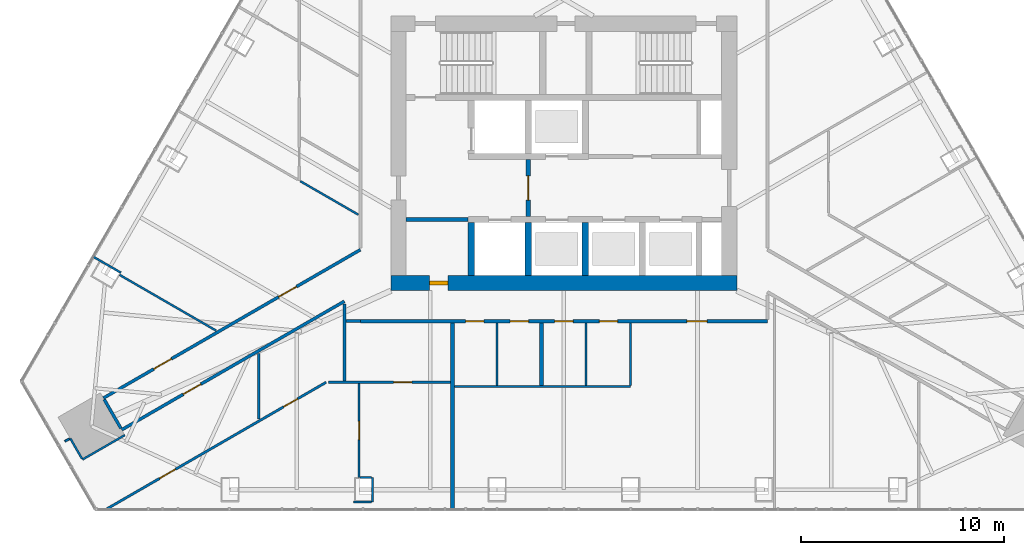
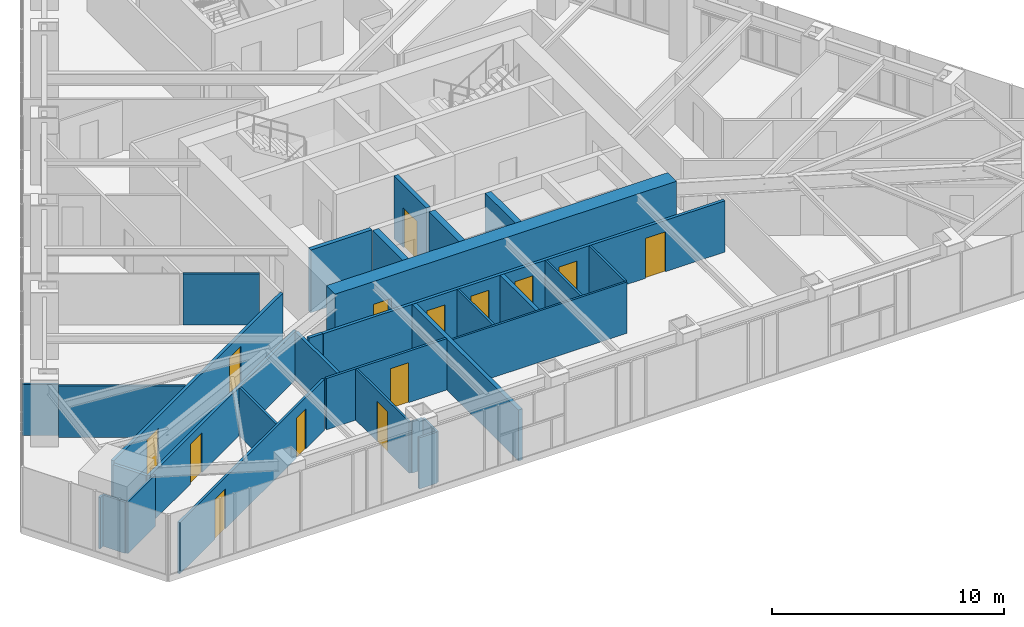
# One storey, part 15 of 20: 31 walls, 14 doors, 14 openings.
"""IFC4 building model written with IfcOpenShell, lengths in metres."""

import ifcopenshell
import ifcopenshell.guid

model = None  # the IFC model being written
_history = None  # IfcOwnerHistory: only IFC2X3 demands one
_inside = {}  # id of a spatial element -> (the spatial element, [elements in it])
_under = {}  # id of a project, library or spatial element -> (it, [spatial elements below it])
_declared = {}  # id of a project -> (the project, [libraries it declares])
_typed = {}  # id of a type object -> (the type object, [elements of that type])
_made_of = {}  # id of a material, layer set ... -> (it, [elements and type objects made of it])


def new_model(schema):
    """Start an empty IFC model of exactly this schema.

    Asked for "IFC4X3", IfcOpenShell would pick the latest addendum, in which some entities
    have other attributes; the version numbers below select the first issue.
    IFC2X3 requires an IfcOwnerHistory on every rooted entity: one is made here for all.
    """
    global model, _history
    if schema == "IFC4X3":
        model = ifcopenshell.file(schema_version=(4, 3, 0, 0))
    else:
        model = ifcopenshell.file(schema=schema)
    _inside.clear()
    _under.clear()
    _declared.clear()
    _typed.clear()
    _made_of.clear()
    _history = None
    if model.schema == "IFC2X3":
        org = make("IfcOrganization", Name="unknown")
        user = make(
            "IfcPersonAndOrganization",
            ThePerson=make("IfcPerson", FamilyName="unknown"),
            TheOrganization=org,
        )
        app = make(
            "IfcApplication",
            ApplicationDeveloper=org,
            Version="unknown",
            ApplicationFullName="unknown",
            ApplicationIdentifier="unknown",
        )
        _history = make(
            "IfcOwnerHistory",
            OwningUser=user,
            OwningApplication=app,
            ChangeAction="ADDED",
            CreationDate=0,
        )
    return model


def make(cls, **values):
    """One entity of the class cls with the attributes given. An attribute that is None is left unset."""
    return model.create_entity(
        cls, **{name: value for name, value in values.items() if value is not None}
    )


def rooted(cls, **values):
    """An entity with a GlobalId (a new one), such as an element, a storey or a relation."""
    return make(cls, GlobalId=ifcopenshell.guid.new(), OwnerHistory=_history, **values)


def si_unit(unit_type, name, prefix=None):
    """IfcSIUnit, for example si_unit("LENGTHUNIT", "METRE", prefix="MILLI")."""
    return make("IfcSIUnit", UnitType=unit_type, Prefix=prefix, Name=name)


def assignment(units):
    """IfcUnitAssignment: the units of a project."""
    return None if units is None else make("IfcUnitAssignment", Units=units)


def point(xyz):
    """IfcCartesianPoint."""
    return None if xyz is None else make("IfcCartesianPoint", Coordinates=xyz)


def direction(xyz):
    """IfcDirection."""
    return None if xyz is None else make("IfcDirection", DirectionRatios=xyz)


def frame(location, z_axis=None, x_axis=None):
    """IfcAxis2Placement3D, a coordinate frame: its origin and axes. An axis left out is left unset."""
    return make(
        "IfcAxis2Placement3D",
        Location=point(location),
        Axis=direction(z_axis),
        RefDirection=direction(x_axis),
    )


def frame_2d(location, x_axis=None):
    """IfcAxis2Placement2D, a coordinate frame in the plane: its origin and x axis."""
    return make(
        "IfcAxis2Placement2D", Location=point(location), RefDirection=direction(x_axis)
    )


def origin():
    """The frame at (0, 0, 0) with its axes left unset."""
    return frame((0.0, 0.0, 0.0))


def place(relative_to, where):
    """IfcLocalPlacement: puts the frame where relative to a parent placement (None: the world)."""
    return make(
        "IfcLocalPlacement", PlacementRelTo=relative_to, RelativePlacement=where
    )


def context(
    kind, dimensions, precision=None, world=None, true_north=None, identifier=None
):
    """IfcGeometricRepresentationContext, for example the 3D "Model" context."""
    return make(
        "IfcGeometricRepresentationContext",
        ContextIdentifier=identifier,
        ContextType=kind,
        CoordinateSpaceDimension=dimensions,
        Precision=precision,
        WorldCoordinateSystem=world,
        TrueNorth=true_north,
    )


def subcontext(parent, identifier, kind, view, scale=None):
    """IfcGeometricRepresentationSubContext, for example "Body" below "Model"."""
    return make(
        "IfcGeometricRepresentationSubContext",
        ContextIdentifier=identifier,
        ContextType=kind,
        ParentContext=parent,
        TargetScale=scale,
        TargetView=view,
    )


def project(units=None, contexts=None):
    """IfcProject with its units and contexts."""
    return rooted(
        "IfcProject",
        Name="project",
        RepresentationContexts=contexts,
        UnitsInContext=assignment(units),
    )


def spatial(cls, under=None, at=None, **own):
    """A site, building, storey or space (cls), placed at a placement, below another one or the project."""
    s = rooted(cls, ObjectPlacement=at, **own)
    if under is not None:
        _under.setdefault(under.id(), (under, []))[1].append(s)
    return s


def profile(cls, at=None, kind="AREA", **sizes):
    """A parametric profile (cls). Its sizes go by their IFC names, for example OverallWidth=200.0."""
    return make(cls, ProfileType=kind, Position=at, **sizes)


def rectangle(**sizes):
    """IfcRectangleProfileDef."""
    return profile("IfcRectangleProfileDef", **sizes)


def extrude(swept, where, along, depth):
    """IfcExtrudedAreaSolid: the profile swept, set in the frame where, extruded along a direction by depth."""
    return make(
        "IfcExtrudedAreaSolid",
        SweptArea=swept,
        Position=where,
        ExtrudedDirection=direction(along),
        Depth=depth,
    )


def shape(context_of_items, identifier, shape_type, items):
    """IfcShapeRepresentation: the items that make up one representation, for example the "Body"."""
    return make(
        "IfcShapeRepresentation",
        ContextOfItems=context_of_items,
        RepresentationIdentifier=identifier,
        RepresentationType=shape_type,
        Items=items,
    )


def material(Name=None, Category=None):
    """IfcMaterial."""
    return make("IfcMaterial", Name=Name, Category=Category)


def layer(
    of_material, thickness, ventilated=None, Name=None, Category=None, Priority=None
):
    """IfcMaterialLayer: one layer of a wall or slab, of a material (None: an air gap)."""
    return make(
        "IfcMaterialLayer",
        Material=of_material,
        LayerThickness=thickness,
        IsVentilated=ventilated,
        Name=Name,
        Category=Category,
        Priority=Priority,
    )


def layer_set(layers, Name=None):
    """IfcMaterialLayerSet."""
    return make("IfcMaterialLayerSet", MaterialLayers=layers, LayerSetName=Name)


def made_of(thing, what):
    """Note that an element or type object is made of a material, layer set ...; save() writes the relation."""
    if what is not None:
        _made_of.setdefault(what.id(), (what, []))[1].append(thing)
    return thing


def type_object(cls, material=None, **own):
    """A type object (cls), such as IfcWallType, which elements share."""
    return made_of(rooted(cls, **own), material)


def element(
    cls,
    number,
    at=None,
    inside=None,
    cuts=None,
    type_object=None,
    material=None,
    context=None,
    identifier="Body",
    shape_type=None,
    held_by="IfcProductDefinitionShape",
    body=None,
    shapes=None,
    **own,
):
    """One element of the class cls, such as IfcWall. Its Tag is "e" and its number.

    at: its placement. inside: the storey or other place that contains it. cuts: it is an
    opening in that element (IfcRelVoidsElement). A single representation is given by context,
    identifier, shape_type and body (its items); several are given by shapes. held_by: the class
    of the entity that holds the representations. save() writes the other relations.
    """
    e = rooted(cls, Tag="e%d" % number, ObjectPlacement=at, **own)
    if body is not None:
        shapes = [shape(context, identifier, shape_type, body)]
    if shapes is not None:
        e.Representation = make(held_by, Representations=shapes)
    if inside is not None:
        _inside.setdefault(inside.id(), (inside, []))[1].append(e)
    if cuts is not None:
        rooted(
            "IfcRelVoidsElement", RelatingBuildingElement=cuts, RelatedOpeningElement=e
        )
    if type_object is not None:
        _typed.setdefault(type_object.id(), (type_object, []))[1].append(e)
    return made_of(e, material)


def fill(opening, filler):
    """IfcRelFillsElement: the door or window that sits in an opening."""
    return rooted(
        "IfcRelFillsElement",
        RelatingOpeningElement=opening,
        RelatedBuildingElement=filler,
    )


def aggregate(whole, parts):
    """IfcRelAggregates: a whole, such as a stair, and the parts it consists of."""
    return rooted("IfcRelAggregates", RelatingObject=whole, RelatedObjects=parts)


def save(model, path):
    """Write the relations noted so far, then the file.

    IfcRelAggregates (storeys below a building ...), IfcRelContainedInSpatialStructure (elements
    in a storey), IfcRelDefinesByType, IfcRelAssociatesMaterial and IfcRelDeclares: one each for
    every whole, place, type object, material and project.
    """
    for whole, parts in _under.values():
        aggregate(whole, parts)
    for where, things in _inside.values():
        rooted(
            "IfcRelContainedInSpatialStructure",
            RelatedElements=things,
            RelatingStructure=where,
        )
    for kind, things in _typed.values():
        rooted("IfcRelDefinesByType", RelatedObjects=things, RelatingType=kind)
    for what, things in _made_of.values():
        rooted("IfcRelAssociatesMaterial", RelatedObjects=things, RelatingMaterial=what)
    for by, libraries in _declared.values():
        rooted("IfcRelDeclares", RelatingContext=by, RelatedDefinitions=libraries)
    model.write(path)


model = new_model("IFC4")

# Units and contexts
model_context = context("Model", 3, precision=1e-05, world=origin(), true_north=direction((0.0, 1.0)))
body_context = subcontext(model_context, "Body", "Model", "MODEL_VIEW")
ifc_project = project(units=[si_unit("LENGTHUNIT", "METRE"), si_unit("AREAUNIT", "SQUARE_METRE"), si_unit("VOLUMEUNIT", "CUBIC_METRE"), si_unit("PLANEANGLEUNIT", "RADIAN"), si_unit("MASSUNIT", "GRAM", prefix="KILO")], contexts=[model_context])

# Site, building, storey
site_placement = place(None, origin())
site = spatial("IfcSite", under=ifc_project, at=site_placement, CompositionType="ELEMENT")
building_placement = place(site_placement, origin())
building = spatial("IfcBuilding", under=site, at=building_placement, Name="Firuza Gate Tower and Library", CompositionType="ELEMENT")
storey_placement = place(building_placement, frame((0.0, 0.0, 277.60009765625)))
storey = spatial("IfcBuildingStorey", under=building, at=storey_placement, Name="L66", CompositionType="ELEMENT", Elevation=277.60009765625)

# Wall
ifc_material_1 = material(Name="Plasterboard on steel studs", Category="steel")
ifc_layer_1 = layer(ifc_material_1, 0.199951171875)
ifc_layer_set_1 = layer_set([ifc_layer_1], Name="Core partition 200 EI 60")
wall_type_1 = type_object("IfcWallType", Name="Core partition 200 EI 60", PredefinedType="PARTITIONING", material=ifc_layer_set_1)
wall_1_placement = place(storey_placement, frame((67.25, 71.75, 0.0), z_axis=(0.0, 0.0, 1.0), x_axis=(1.0, 0.0, 0.0)))
element("IfcWall", 1, at=wall_1_placement, inside=storey, type_object=wall_type_1, Name="Core partition L66 1", PredefinedType="PARTITIONING", context=body_context, shape_type="SweptSolid", body=[
    extrude(rectangle(XDim=3.050048828125, YDim=0.199951171875, at=frame_2d((1.52490234375, 0.0))), origin(), (0.0, 0.0, 1.0), 3.2998046875),
])

# Wall, opening, door
wall_2_placement = place(storey_placement, frame((73.25, 71.89990234375, 0.0), z_axis=(0.0, 0.0, 1.0), x_axis=(0.0, 1.0, 0.0)))
wall_2 = element("IfcWall", 2, at=wall_2_placement, inside=storey, type_object=wall_type_1, Name="Core partition L66 4", PredefinedType="PARTITIONING", context=body_context, shape_type="SweptSolid", body=[
    extrude(rectangle(XDim=2.800048828125, YDim=0.199951171875, at=frame_2d((1.39990234375, 0.0))), origin(), (0.0, 0.0, 1.0), 3.2998046875),
])
opening_1_placement = place(wall_2_placement, frame((0.800048828125, 0.0, 0.0)))
opening_1 = element("IfcOpeningElement", 3, at=opening_1_placement, cuts=wall_2, Name="Opening L66-K14", PredefinedType="OPENING", context=body_context, shape_type="SweptSolid", body=[
    extrude(rectangle(XDim=1.199951171875, YDim=2.10009765625, at=frame_2d((0.60009765625, 1.050048828125))), frame((0.0, 0.10986328125, 0.0), z_axis=(0.0, -1.0, 0.0), x_axis=(1.0, 0.0, 0.0)), (0.0, 0.0, 1.0), 0.219970703125),
])
ifc_material_2 = material(Name="Steel", Category="steel")
door_type_1 = type_object("IfcDoorType", Name="Fire door 1200x2100 FD90S", OperationType="NOTDEFINED", PredefinedType="DOOR", material=ifc_material_2)
door_1_placement = place(opening_1_placement, origin())
door_1 = element("IfcDoor", 4, at=door_1_placement, inside=storey, type_object=door_type_1, Name="Door L66-K14", OperationType="SINGLE_SWING_LEFT", OverallHeight=2.10009765625, OverallWidth=1.199951171875, PredefinedType="DOOR", context=body_context, shape_type="SweptSolid", body=[
    extrude(rectangle(XDim=1.199951171875, YDim=2.10009765625, at=frame_2d((0.60009765625, 1.050048828125))), frame((0.0, 0.02490234375, 0.0), z_axis=(0.0, -1.0, 0.0), x_axis=(1.0, 0.0, 0.0)), (0.0, 0.0, 1.0), 0.050048828125),
])
fill(opening_1, door_1)

# Walls
ifc_material_3 = material(Name="Concrete C60/75", Category="concrete")
ifc_layer_2 = layer(ifc_material_3, 0.300048828125)
ifc_layer_set_2 = layer_set([ifc_layer_2], Name="Core wall 300 C60/75")
wall_type_2 = type_object("IfcWallType", Name="Core wall 300 C60/75", PredefinedType="SHEAR", material=ifc_layer_set_2)
for number, where, z_axis, x_axis, name in (
    (5, (70.449951171875, 69.0, 0.0), (0.0, 0.0, 1.0), (0.0, 1.0, 0.0), "Core wall L66 7"),
    (6, (73.25, 69.0, 0.0), (0.0, 0.0, 1.0), (0.0, 1.0, 0.0), "Core wall L66 9"),
    (7, (76.050048828125, 69.0, 0.0), (0.0, 0.0, 1.0), (0.0, 1.0, 0.0), "Core wall L66 11"),
):
    element("IfcWall", number, at=place(storey_placement, frame(where, z_axis=z_axis, x_axis=x_axis)), inside=storey, type_object=wall_type_2, Name=name, PredefinedType="SHEAR", context=body_context, shape_type="SweptSolid", body=[
        extrude(rectangle(XDim=2.60009765625, YDim=0.300048828125, at=frame_2d((1.300048828125, 0.0))), origin(), (0.0, 0.0, 1.0), 3.2998046875),
    ])

# Wall, opening, door
ifc_material_4 = material(Name="Concrete C60/75", Category="concrete")
ifc_layer_3 = layer(ifc_material_4, 0.75)
ifc_layer_set_3 = layer_set([ifc_layer_3], Name="Core wall 750 C60/75")
wall_type_3 = type_object("IfcWallType", Name="Core wall 750 C60/75", PredefinedType="SHEAR", material=ifc_layer_set_3)
wall_3_placement = place(storey_placement, frame((66.5, 68.625, 0.0), z_axis=(0.0, 0.0, 1.0), x_axis=(1.0, 0.0, 0.0)))
wall_3 = element("IfcWall", 8, at=wall_3_placement, inside=storey, type_object=wall_type_3, Name="Core wall L66 1", PredefinedType="SHEAR", context=body_context, shape_type="SweptSolid", body=[
    extrude(rectangle(XDim=17.0, YDim=0.75, at=frame_2d((8.5, 0.0))), origin(), (0.0, 0.0, 1.0), 3.2998046875),
])
opening_2_placement = place(wall_3_placement, frame((1.89990234375, 0.0, 0.0)))
opening_2 = element("IfcOpeningElement", 9, at=opening_2_placement, cuts=wall_3, Name="Opening L66-K17", PredefinedType="OPENING", context=body_context, shape_type="SweptSolid", body=[
    extrude(rectangle(XDim=0.89990234375, YDim=2.10009765625, at=frame_2d((0.449951171875, 1.050048828125))), frame((0.0, 0.385009765625, 0.0), z_axis=(0.0, -1.0, 0.0), x_axis=(1.0, 0.0, 0.0)), (0.0, 0.0, 1.0), 0.77001953125),
])
ifc_material_5 = material(Name="Steel", Category="steel")
door_type_2 = type_object("IfcDoorType", Name="Fire door 900x2100 FD30S", OperationType="NOTDEFINED", PredefinedType="DOOR", material=ifc_material_5)
door_2_placement = place(opening_2_placement, origin())
door_2 = element("IfcDoor", 10, at=door_2_placement, inside=storey, type_object=door_type_2, Name="Door L66-K17", OperationType="SINGLE_SWING_RIGHT", OverallHeight=2.10009765625, OverallWidth=0.89990234375, PredefinedType="DOOR", context=body_context, shape_type="SweptSolid", body=[
    extrude(rectangle(XDim=0.89990234375, YDim=2.10009765625, at=frame_2d((0.449951171875, 1.050048828125))), frame((0.0, 0.094970703125, 0.0), z_axis=(0.0, -1.0, 0.0), x_axis=(1.0, 0.0, 0.0)), (0.0, 0.0, 1.0), 0.18994140625),
])
fill(opening_2, door_2)

# Wall, openings, doors
ifc_material_6 = material(Name="Gypsum board partition")
ifc_layer_4 = layer(ifc_material_6, 0.14990234375)
ifc_layer_set_4 = layer_set([ifc_layer_4], Name="Corridor wall 150 double board on steel studs")
wall_type_4 = type_object("IfcWallType", Name="Corridor wall 150 double board on steel studs", PredefinedType="PARTITIONING", material=ifc_layer_set_4)
wall_4_placement = place(storey_placement, frame((84.99951171875, 66.75, 0.0), z_axis=(0.0, 0.0, 1.0), x_axis=(-1.0, 0.0, 0.0)))
wall_4 = element("IfcWall", 11, at=wall_4_placement, inside=storey, type_object=wall_type_4, Name="f:L66:w004", PredefinedType="PARTITIONING", context=body_context, shape_type="SweptSolid", body=[
    extrude(rectangle(XDim=19.9990234375, YDim=0.14990234375, at=frame_2d((9.99951171875, 0.0))), origin(), (0.0, 0.0, 1.0), 2.699951171875),
])
opening_3_placement = place(wall_4_placement, frame((2.9599609375, 0.0, 0.0)))
opening_3 = element("IfcOpeningElement", 12, at=opening_3_placement, cuts=wall_4, Name="Opening L66-02", PredefinedType="OPENING", context=body_context, shape_type="SweptSolid", body=[
    extrude(rectangle(XDim=1.0, YDim=2.10009765625, at=frame_2d((0.5, 1.050048828125))), frame((0.0, 0.0849609375, 0.0), z_axis=(0.0, -1.0, 0.0), x_axis=(1.0, 0.0, 0.0)), (0.0, 0.0, 1.0), 0.169921875),
])
opening_4_placement = place(wall_4_placement, frame((7.361083984375, 0.0, 0.0)))
opening_4 = element("IfcOpeningElement", 13, at=opening_4_placement, cuts=wall_4, Name="Opening L66-03", PredefinedType="OPENING", context=body_context, shape_type="SweptSolid", body=[
    extrude(rectangle(XDim=0.89990234375, YDim=2.10009765625, at=frame_2d((0.449951171875, 1.050048828125))), frame((0.0, 0.0849609375, 0.0), z_axis=(0.0, -1.0, 0.0), x_axis=(1.0, 0.0, 0.0)), (0.0, 0.0, 1.0), 0.169921875),
])
opening_5_placement = place(wall_4_placement, frame((9.549560546875, 0.0, 0.0)))
opening_5 = element("IfcOpeningElement", 14, at=opening_5_placement, cuts=wall_4, Name="Opening L66-04", PredefinedType="OPENING", context=body_context, shape_type="SweptSolid", body=[
    extrude(rectangle(XDim=0.89990234375, YDim=2.10009765625, at=frame_2d((0.449951171875, 1.050048828125))), frame((0.0, 0.0849609375, 0.0), z_axis=(0.0, -1.0, 0.0), x_axis=(1.0, 0.0, 0.0)), (0.0, 0.0, 1.0), 0.169921875),
])
opening_6_placement = place(wall_4_placement, frame((11.738037109375, 0.0, 0.0)))
opening_6 = element("IfcOpeningElement", 15, at=opening_6_placement, cuts=wall_4, Name="Opening L66-05", PredefinedType="OPENING", context=body_context, shape_type="SweptSolid", body=[
    extrude(rectangle(XDim=0.89990234375, YDim=2.10009765625, at=frame_2d((0.449951171875, 1.050048828125))), frame((0.0, 0.0849609375, 0.0), z_axis=(0.0, -1.0, 0.0), x_axis=(1.0, 0.0, 0.0)), (0.0, 0.0, 1.0), 0.169921875),
])
opening_7_placement = place(wall_4_placement, frame((13.92626953125, 0.0, 0.0)))
opening_7 = element("IfcOpeningElement", 16, at=opening_7_placement, cuts=wall_4, Name="Opening L66-06", PredefinedType="OPENING", context=body_context, shape_type="SweptSolid", body=[
    extrude(rectangle(XDim=0.89990234375, YDim=2.10009765625, at=frame_2d((0.449951171875, 1.050048828125))), frame((0.0, 0.0849609375, 0.0), z_axis=(0.0, -1.0, 0.0), x_axis=(1.0, 0.0, 0.0)), (0.0, 0.0, 1.0), 0.169921875),
])
ifc_material_7 = material(Name="Steel door and timber leaf", Category="steel")
door_type_3 = type_object("IfcDoorType", Name="Fire door 1000 x 2100 steel frame, timber leaf", OperationType="NOTDEFINED", PredefinedType="DOOR", material=ifc_material_7)
door_3_placement = place(opening_3_placement, origin())
door_3 = element("IfcDoor", 17, at=door_3_placement, inside=storey, type_object=door_type_3, Name="f:L66:d002", OperationType="SINGLE_SWING_LEFT", OverallHeight=2.10009765625, OverallWidth=1.0, PredefinedType="DOOR", context=body_context, shape_type="SweptSolid", body=[
    extrude(rectangle(XDim=1.0, YDim=2.10009765625, at=frame_2d((0.5, 1.050048828125))), frame((0.0, 0.02490234375, 0.0), z_axis=(0.0, -1.0, 0.0), x_axis=(1.0, 0.0, 0.0)), (0.0, 0.0, 1.0), 0.050048828125),
])
fill(opening_3, door_3)
ifc_material_8 = material(Name="Steel door and timber leaf", Category="steel")
door_type_4 = type_object("IfcDoorType", Name="Fire door 900 x 2100 steel frame, timber leaf", OperationType="NOTDEFINED", PredefinedType="DOOR", material=ifc_material_8)
door_4_placement = place(opening_4_placement, origin())
door_4 = element("IfcDoor", 18, at=door_4_placement, inside=storey, type_object=door_type_4, Name="f:L66:d003", OperationType="SINGLE_SWING_RIGHT", OverallHeight=2.10009765625, OverallWidth=0.89990234375, PredefinedType="DOOR", context=body_context, shape_type="SweptSolid", body=[
    extrude(rectangle(XDim=0.89990234375, YDim=2.10009765625, at=frame_2d((0.449951171875, 1.050048828125))), frame((0.0, 0.02490234375, 0.0), z_axis=(0.0, -1.0, 0.0), x_axis=(1.0, 0.0, 0.0)), (0.0, 0.0, 1.0), 0.050048828125),
])
fill(opening_4, door_4)
door_5_placement = place(opening_5_placement, origin())
door_5 = element("IfcDoor", 19, at=door_5_placement, inside=storey, type_object=door_type_4, Name="f:L66:d004", OperationType="SINGLE_SWING_LEFT", OverallHeight=2.10009765625, OverallWidth=0.89990234375, PredefinedType="DOOR", context=body_context, shape_type="SweptSolid", body=[
    extrude(rectangle(XDim=0.89990234375, YDim=2.10009765625, at=frame_2d((0.449951171875, 1.050048828125))), frame((0.0, 0.02490234375, 0.0), z_axis=(0.0, -1.0, 0.0), x_axis=(1.0, 0.0, 0.0)), (0.0, 0.0, 1.0), 0.050048828125),
])
fill(opening_5, door_5)
door_6_placement = place(opening_6_placement, origin())
door_6 = element("IfcDoor", 20, at=door_6_placement, inside=storey, type_object=door_type_4, Name="f:L66:d005", OperationType="SINGLE_SWING_RIGHT", OverallHeight=2.10009765625, OverallWidth=0.89990234375, PredefinedType="DOOR", context=body_context, shape_type="SweptSolid", body=[
    extrude(rectangle(XDim=0.89990234375, YDim=2.10009765625, at=frame_2d((0.449951171875, 1.050048828125))), frame((0.0, 0.02490234375, 0.0), z_axis=(0.0, -1.0, 0.0), x_axis=(1.0, 0.0, 0.0)), (0.0, 0.0, 1.0), 0.050048828125),
])
fill(opening_6, door_6)
door_7_placement = place(opening_7_placement, origin())
door_7 = element("IfcDoor", 21, at=door_7_placement, inside=storey, type_object=door_type_4, Name="f:L66:d006", OperationType="SINGLE_SWING_LEFT", OverallHeight=2.10009765625, OverallWidth=0.89990234375, PredefinedType="DOOR", context=body_context, shape_type="SweptSolid", body=[
    extrude(rectangle(XDim=0.89990234375, YDim=2.10009765625, at=frame_2d((0.449951171875, 1.050048828125))), frame((0.0, 0.02490234375, 0.0), z_axis=(0.0, -1.0, 0.0), x_axis=(1.0, 0.0, 0.0)), (0.0, 0.0, 1.0), 0.050048828125),
])
fill(opening_7, door_7)

# Wall
wall_5_placement = place(storey_placement, frame((64.294921875, 66.76904296875, 0.0), z_axis=(0.0, 0.0, 1.0), x_axis=(1.0, 0.0, 0.0)))
element("IfcWall", 22, at=wall_5_placement, inside=storey, type_object=wall_type_4, Name="f:L66:w005", PredefinedType="PARTITIONING", context=body_context, shape_type="SweptSolid", body=[
    extrude(rectangle(XDim=0.705078125, YDim=0.14990234375, at=frame_2d((0.3525390625, 0.0))), origin(), (0.0, 0.0, 1.0), 2.699951171875),
])

# Wall, opening, door
wall_6_placement = place(storey_placement, frame((64.209716796875, 67.731201171875, 0.0), z_axis=(0.0, 0.0, 1.0), x_axis=(-0.866027247007, -0.499996807431, 0.0)))
wall_6 = element("IfcWall", 23, at=wall_6_placement, inside=storey, type_object=wall_type_4, Name="f:L66:w021", PredefinedType="PARTITIONING", context=body_context, shape_type="SweptSolid", body=[
    extrude(rectangle(XDim=12.6328125, YDim=0.14990234375, at=frame_2d((6.31640625, 0.0))), origin(), (0.0, 0.0, 1.0), 2.546875),
])
opening_8_placement = place(wall_6_placement, frame((8.142578125, 0.0, 0.0)))
opening_8 = element("IfcOpeningElement", 24, at=opening_8_placement, cuts=wall_6, Name="Opening L66-15", PredefinedType="OPENING", context=body_context, shape_type="SweptSolid", body=[
    extrude(rectangle(XDim=1.0, YDim=2.10009765625, at=frame_2d((0.5, 1.050048828125))), frame((0.0, 0.0849609375, 0.0), z_axis=(0.0, -1.0, 0.0), x_axis=(1.0, 0.0, 0.0)), (0.0, 0.0, 1.0), 0.169921875),
])
door_8_placement = place(opening_8_placement, origin())
door_8 = element("IfcDoor", 25, at=door_8_placement, inside=storey, type_object=door_type_3, Name="f:L66:d015", OperationType="SINGLE_SWING_LEFT", OverallHeight=2.10009765625, OverallWidth=1.0, PredefinedType="DOOR", context=body_context, shape_type="SweptSolid", body=[
    extrude(rectangle(XDim=1.0, YDim=2.10009765625, at=frame_2d((0.5, 1.050048828125))), frame((0.0, 0.02490234375, 0.0), z_axis=(0.0, -1.0, 0.0), x_axis=(1.0, 0.0, 0.0)), (0.0, 0.0, 1.0), 0.050048828125),
])
fill(opening_8, door_8)

# Wall, openings, doors
wall_7_placement = place(storey_placement, frame((52.369873046875, 62.973876953125, 0.0), z_axis=(0.0, 0.0, 1.0), x_axis=(0.866025849409, 0.499999228155, 0.0)))
wall_7 = element("IfcWall", 26, at=wall_7_placement, inside=storey, type_object=wall_type_4, Name="f:L66:w023", PredefinedType="PARTITIONING", context=body_context, shape_type="SweptSolid", body=[
    extrude(rectangle(XDim=14.583984375, YDim=0.14990234375, at=frame_2d((7.2919921875, 0.0))), origin(), (0.0, 0.0, 1.0), 2.699951171875),
])
opening_9_placement = place(wall_7_placement, frame((2.8583984375, 0.0, 0.0)))
opening_9 = element("IfcOpeningElement", 27, at=opening_9_placement, cuts=wall_7, Name="Opening L66-16", PredefinedType="OPENING", context=body_context, shape_type="SweptSolid", body=[
    extrude(rectangle(XDim=1.0, YDim=2.10009765625, at=frame_2d((0.5, 1.050048828125))), frame((0.0, 0.0849609375, 0.0), z_axis=(0.0, -1.0, 0.0), x_axis=(1.0, 0.0, 0.0)), (0.0, 0.0, 1.0), 0.169921875),
])
opening_10_placement = place(wall_7_placement, frame((9.947021484375, 0.0, 0.0)))
opening_10 = element("IfcOpeningElement", 28, at=opening_10_placement, cuts=wall_7, Name="Opening L66-17", PredefinedType="OPENING", context=body_context, shape_type="SweptSolid", body=[
    extrude(rectangle(XDim=1.0, YDim=2.10009765625, at=frame_2d((0.5, 1.050048828125))), frame((0.0, 0.0849609375, 0.0), z_axis=(0.0, -1.0, 0.0), x_axis=(1.0, 0.0, 0.0)), (0.0, 0.0, 1.0), 0.169921875),
])
door_9_placement = place(opening_9_placement, origin())
door_9 = element("IfcDoor", 29, at=door_9_placement, inside=storey, type_object=door_type_3, Name="f:L66:d016", OperationType="SINGLE_SWING_LEFT", OverallHeight=2.10009765625, OverallWidth=1.0, PredefinedType="DOOR", context=body_context, shape_type="SweptSolid", body=[
    extrude(rectangle(XDim=1.0, YDim=2.10009765625, at=frame_2d((0.5, 1.050048828125))), frame((0.0, 0.02490234375, 0.0), z_axis=(0.0, -1.0, 0.0), x_axis=(1.0, 0.0, 0.0)), (0.0, 0.0, 1.0), 0.050048828125),
])
fill(opening_9, door_9)
door_10_placement = place(opening_10_placement, origin())
door_10 = element("IfcDoor", 30, at=door_10_placement, inside=storey, type_object=door_type_3, Name="f:L66:d017", OperationType="SINGLE_SWING_RIGHT", OverallHeight=2.10009765625, OverallWidth=1.0, PredefinedType="DOOR", context=body_context, shape_type="SweptSolid", body=[
    extrude(rectangle(XDim=1.0, YDim=2.10009765625, at=frame_2d((0.5, 1.050048828125))), frame((0.0, 0.02490234375, 0.0), z_axis=(0.0, -1.0, 0.0), x_axis=(1.0, 0.0, 0.0)), (0.0, 0.0, 1.0), 0.050048828125),
])
fill(opening_10, door_10)

# Walls
wall_8_placement = place(storey_placement, frame((64.2099609375, 63.81005859375, 0.0), z_axis=(0.0, 0.0, 1.0), x_axis=(0.0, 1.0, 0.0)))
element("IfcWall", 31, at=wall_8_placement, inside=storey, type_object=wall_type_4, Name="f:L66:w049", PredefinedType="PARTITIONING", context=body_context, shape_type="SweptSolid", body=[
    extrude(rectangle(XDim=3.784423828125, YDim=0.14990234375, at=frame_2d((1.89208984375, 0.0))), origin(), (0.0, 0.0, 1.0), 2.546875),
])
wall_9_placement = place(storey_placement, frame((53.229248046875, 61.484375, 0.0), z_axis=(0.0, 0.0, 1.0), x_axis=(-0.500052415518, 0.865995139556, 0.0)))
element("IfcWall", 32, at=wall_9_placement, inside=storey, type_object=wall_type_4, Name="f:L66:w052", PredefinedType="PARTITIONING", context=body_context, shape_type="SweptSolid", body=[
    extrude(rectangle(XDim=1.643798828125, YDim=0.14990234375, at=frame_2d((0.82177734375, 0.0))), origin(), (0.0, 0.0, 1.0), 2.546875),
])
ifc_material_9 = material(Name="Gypsum board partition")
ifc_layer_5 = layer(ifc_material_9, 0.199951171875)
ifc_layer_set_5 = layer_set([ifc_layer_5], Name="Demising wall 200 acoustic double stud")
wall_type_5 = type_object("IfcWallType", Name="Demising wall 200 acoustic double stud", PredefinedType="PARTITIONING", material=ifc_layer_set_5)
wall_10_placement = place(storey_placement, frame((73.906005859375, 63.60009765625, 0.0), z_axis=(0.0, 0.0, 1.0), x_axis=(0.0, 1.0, 0.0)))
element("IfcWall", 33, at=wall_10_placement, inside=storey, type_object=wall_type_5, Name="f:L66:w041", PredefinedType="PARTITIONING", context=body_context, shape_type="SweptSolid", body=[
    extrude(rectangle(XDim=3.074951171875, YDim=0.199951171875, at=frame_2d((1.53759765625, 0.0))), origin(), (0.0, 0.0, 1.0), 2.699951171875),
])
wall_11_placement = place(storey_placement, frame((69.529052734375, 57.516357421875, 0.0), z_axis=(0.0, 0.0, 1.0), x_axis=(0.0, 1.0, 0.0)))
element("IfcWall", 34, at=wall_11_placement, inside=storey, type_object=wall_type_5, Name="f:L66:w045", PredefinedType="PARTITIONING", context=body_context, shape_type="SweptSolid", body=[
    extrude(rectangle(XDim=9.15869140625, YDim=0.199951171875, at=frame_2d((4.579345703125, 0.0))), origin(), (0.0, 0.0, 1.0), 2.68798828125),
])
ifc_material_10 = material(Name="Gypsum board partition")
ifc_layer_6 = layer(ifc_material_10, 0.10009765625)
ifc_layer_set_6 = layer_set([ifc_layer_6], Name="Partition 100 gypsum board on steel studs")
wall_type_6 = type_object("IfcWallType", Name="Partition 100 gypsum board on steel studs", PredefinedType="PARTITIONING", material=ifc_layer_set_6)
wall_12_placement = place(storey_placement, frame((64.670166015625, 57.8759765625, 0.0), z_axis=(0.0, 0.0, 1.0), x_axis=(1.0, 0.0, 0.0)))
element("IfcWall", 35, at=wall_12_placement, inside=storey, type_object=wall_type_6, Name="f:L66:w000", PredefinedType="PARTITIONING", context=body_context, shape_type="SweptSolid", body=[
    extrude(rectangle(XDim=0.874755859375, YDim=0.10009765625, at=frame_2d((0.4375, 0.0))), origin(), (0.0, 0.0, 1.0), 2.699951171875),
])
wall_13_placement = place(storey_placement, frame((64.990234375, 59.075927734375, 0.0), z_axis=(0.0, 0.0, 1.0), x_axis=(1.0, 0.0, 0.0)))
element("IfcWall", 36, at=wall_13_placement, inside=storey, type_object=wall_type_6, Name="f:L66:w001", PredefinedType="PARTITIONING", context=body_context, shape_type="SweptSolid", body=[
    extrude(rectangle(XDim=0.561767578125, YDim=0.10009765625, at=frame_2d((0.28076171875, 0.0))), origin(), (0.0, 0.0, 1.0), 2.699951171875),
])
wall_14_placement = place(storey_placement, frame((69.62939453125, 63.550048828125, 0.0), z_axis=(0.0, 0.0, 1.0), x_axis=(1.0, 0.0, 0.0)))
element("IfcWall", 37, at=wall_14_placement, inside=storey, type_object=wall_type_6, Name="f:L66:w002", PredefinedType="PARTITIONING", context=body_context, shape_type="SweptSolid", body=[
    extrude(rectangle(XDim=8.65283203125, YDim=0.10009765625, at=frame_2d((4.326416015625, 0.0))), origin(), (0.0, 0.0, 1.0), 2.699951171875),
])
wall_15_placement = place(storey_placement, frame((51.34130859375, 59.955078125, 0.0), z_axis=(0.0, 0.0, 1.0), x_axis=(0.866036455013, 0.499980858223, 0.0)))
element("IfcWall", 38, at=wall_15_placement, inside=storey, type_object=wall_type_6, Name="f:L66:w020", PredefinedType="PARTITIONING", context=body_context, shape_type="SweptSolid", body=[
    extrude(rectangle(XDim=2.39892578125, YDim=0.10009765625, at=frame_2d((1.199462890625, 0.0))), origin(), (0.0, 0.0, 1.0), 2.699951171875),
])
wall_16_placement = place(storey_placement, frame((50.481201171875, 60.84423828125, 0.0), z_axis=(0.0, 0.0, 1.0), x_axis=(0.866429964967, 0.499298623879, 0.0)))
element("IfcWall", 39, at=wall_16_placement, inside=storey, type_object=wall_type_6, Name="f:L66:w022", PredefinedType="PARTITIONING", context=body_context, shape_type="SweptSolid", body=[
    extrude(rectangle(XDim=0.249267578125, YDim=0.10009765625, at=frame_2d((0.12451171875, 0.0))), origin(), (0.0, 0.0, 1.0), 2.699951171875),
])
wall_17_placement = place(storey_placement, frame((78.282958984375, 63.6005859375, 0.0), z_axis=(0.0, 0.0, 1.0), x_axis=(0.0, 1.0, 0.0)))
element("IfcWall", 40, at=wall_17_placement, inside=storey, type_object=wall_type_6, Name="f:L66:w034", PredefinedType="PARTITIONING", context=body_context, shape_type="SweptSolid", body=[
    extrude(rectangle(XDim=3.074462890625, YDim=0.10009765625, at=frame_2d((1.537109375, 0.0))), origin(), (0.0, 0.0, 1.0), 2.699951171875),
])
for number, where, z_axis, x_axis, name in (
    (41, (76.093994140625, 63.60009765625, 0.0), (0.0, 0.0, 1.0), (0.0, 1.0, 0.0), "f:L66:w037"),
    (42, (71.717041015625, 63.60009765625, 0.0), (0.0, 0.0, 1.0), (0.0, 1.0, 0.0), "f:L66:w043"),
):
    element("IfcWall", number, at=place(storey_placement, frame(where, z_axis=z_axis, x_axis=x_axis)), inside=storey, type_object=wall_type_6, Name=name, PredefinedType="PARTITIONING", context=body_context, shape_type="SweptSolid", body=[
        extrude(rectangle(XDim=3.074951171875, YDim=0.10009765625, at=frame_2d((1.53759765625, 0.0))), origin(), (0.0, 0.0, 1.0), 2.699951171875),
    ])
wall_18_placement = place(storey_placement, frame((65.60205078125, 57.876220703125, 0.0), z_axis=(0.0, 0.0, 1.0), x_axis=(0.0, 1.0, 0.0)))
element("IfcWall", 43, at=wall_18_placement, inside=storey, type_object=wall_type_6, Name="f:L66:w046", PredefinedType="PARTITIONING", context=body_context, shape_type="SweptSolid", body=[
    extrude(rectangle(XDim=1.2001953125, YDim=0.10009765625, at=frame_2d((0.60009765625, 0.0))), origin(), (0.0, 0.0, 1.0), 2.68798828125),
])

# Wall, opening, door
wall_19_placement = place(storey_placement, frame((64.93994140625, 63.68994140625, 0.0), z_axis=(0.0, 0.0, 1.0), x_axis=(0.0, -1.0, 0.0)))
wall_19 = element("IfcWall", 44, at=wall_19_placement, inside=storey, type_object=wall_type_6, Name="f:L66:w048", PredefinedType="PARTITIONING", context=body_context, shape_type="SweptSolid", body=[
    extrude(rectangle(XDim=4.613525390625, YDim=0.10009765625, at=frame_2d((2.306640625, 0.0))), origin(), (0.0, 0.0, 1.0), 2.699951171875),
])
opening_11_placement = place(wall_19_placement, frame((1.85693359375, 0.0, 0.0)))
opening_11 = element("IfcOpeningElement", 45, at=opening_11_placement, cuts=wall_19, Name="Opening L66-19", PredefinedType="OPENING", context=body_context, shape_type="SweptSolid", body=[
    extrude(rectangle(XDim=0.89990234375, YDim=2.10009765625, at=frame_2d((0.449951171875, 1.050048828125))), frame((0.0, 0.06005859375, 0.0), z_axis=(0.0, -1.0, 0.0), x_axis=(1.0, 0.0, 0.0)), (0.0, 0.0, 1.0), 0.1201171875),
])
ifc_material_11 = material(Name="Timber door", Category="wood")
door_type_5 = type_object("IfcDoorType", Name="Door 900 x 2100 timber leaf", OperationType="NOTDEFINED", PredefinedType="DOOR", material=ifc_material_11)
door_11_placement = place(opening_11_placement, origin())
door_11 = element("IfcDoor", 46, at=door_11_placement, inside=storey, type_object=door_type_5, Name="f:L66:d019", OperationType="SINGLE_SWING_RIGHT", OverallHeight=2.10009765625, OverallWidth=0.89990234375, PredefinedType="DOOR", context=body_context, shape_type="SweptSolid", body=[
    extrude(rectangle(XDim=0.89990234375, YDim=2.10009765625, at=frame_2d((0.449951171875, 1.050048828125))), frame((0.0, 0.02490234375, 0.0), z_axis=(0.0, -1.0, 0.0), x_axis=(1.0, 0.0, 0.0)), (0.0, 0.0, 1.0), 0.050048828125),
])
fill(opening_11, door_11)

# Walls
wall_20_placement = place(storey_placement, frame((51.315673828125, 59.99853515625, 0.0), z_axis=(0.0, 0.0, 1.0), x_axis=(-0.499955427682, 0.866051136095, 0.0)))
element("IfcWall", 47, at=wall_20_placement, inside=storey, type_object=wall_type_6, Name="f:L66:w053", PredefinedType="PARTITIONING", context=body_context, shape_type="SweptSolid", body=[
    extrude(rectangle(XDim=1.14892578125, YDim=0.10009765625, at=frame_2d((0.574462890625, 0.0))), origin(), (0.0, 0.0, 1.0), 2.699951171875),
])
wall_21_placement = place(storey_placement, frame((64.89892578125, 71.987060546875, 0.0), z_axis=(0.0, 0.0, 1.0), x_axis=(-0.866032610133, 0.499987518031, 0.0)))
element("IfcWall", 48, at=wall_21_placement, inside=storey, type_object=wall_type_6, Name="f:L66:w062", PredefinedType="PARTITIONING", context=body_context, shape_type="SweptSolid", body=[
    extrude(rectangle(XDim=3.29541015625, YDim=0.10009765625, at=frame_2d((1.647705078125, 0.0))), origin(), (0.0, 0.0, 1.0), 2.699951171875),
])
wall_22_placement = place(storey_placement, frame((53.227783203125, 69.1376953125, 0.0), z_axis=(0.0, 0.0, 1.0), x_axis=(-0.866018739521, 0.500011542666, 0.0)))
element("IfcWall", 49, at=wall_22_placement, inside=storey, type_object=wall_type_6, Name="f:L66:w063", PredefinedType="PARTITIONING", context=body_context, shape_type="SweptSolid", body=[
    extrude(rectangle(XDim=1.5595703125, YDim=0.10009765625, at=frame_2d((0.77978515625, 0.0))), origin(), (0.0, 0.0, 1.0), 2.699951171875),
])
wall_23_placement = place(storey_placement, frame((57.909912109375, 66.2890625, 0.0), z_axis=(0.0, 0.0, 1.0), x_axis=(-0.866026762963, 0.499997645826, 0.0)))
element("IfcWall", 50, at=wall_23_placement, inside=storey, type_object=wall_type_6, Name="f:L66:w064", PredefinedType="PARTITIONING", context=body_context, shape_type="SweptSolid", body=[
    extrude(rectangle(XDim=5.47802734375, YDim=0.10009765625, at=frame_2d((2.739013671875, 0.0))), origin(), (0.0, 0.0, 1.0), 2.699951171875),
])

# Wall, opening, door
ifc_material_12 = material(Name="Gypsum board partition")
ifc_layer_7 = layer(ifc_material_12, 0.1201171875)
ifc_layer_set_7 = layer_set([ifc_layer_7], Name="Wet-area partition 120 moisture-resistant board")
wall_type_7 = type_object("IfcWallType", Name="Wet-area partition 120 moisture-resistant board", PredefinedType="PARTITIONING", material=ifc_layer_set_7)
wall_24_placement = place(storey_placement, frame((63.434326171875, 63.75, 0.0), z_axis=(0.0, 0.0, 1.0), x_axis=(1.0, 0.0, 0.0)))
wall_24 = element("IfcWall", 51, at=wall_24_placement, inside=storey, type_object=wall_type_7, Name="f:L66:w003", PredefinedType="PARTITIONING", context=body_context, shape_type="SweptSolid", body=[
    extrude(rectangle(XDim=5.99462890625, YDim=0.1201171875, at=frame_2d((2.997314453125, 0.0))), origin(), (0.0, 0.0, 1.0), 2.699951171875),
])
opening_12_placement = place(wall_24_placement, frame((3.19873046875, 0.0, 0.0)))
opening_12 = element("IfcOpeningElement", 52, at=opening_12_placement, cuts=wall_24, Name="Opening L66-01", PredefinedType="OPENING", context=body_context, shape_type="SweptSolid", body=[
    extrude(rectangle(XDim=0.89990234375, YDim=2.10009765625, at=frame_2d((0.449951171875, 1.050048828125))), frame((0.0, 0.070068359375, 0.0), z_axis=(0.0, -1.0, 0.0), x_axis=(1.0, 0.0, 0.0)), (0.0, 0.0, 1.0), 0.14013671875),
])
door_12_placement = place(opening_12_placement, origin())
door_12 = element("IfcDoor", 53, at=door_12_placement, inside=storey, type_object=door_type_5, Name="f:L66:d001", OperationType="SINGLE_SWING_LEFT", OverallHeight=2.10009765625, OverallWidth=0.89990234375, PredefinedType="DOOR", context=body_context, shape_type="SweptSolid", body=[
    extrude(rectangle(XDim=0.89990234375, YDim=2.10009765625, at=frame_2d((0.449951171875, 1.050048828125))), frame((0.0, 0.02490234375, 0.0), z_axis=(0.0, -1.0, 0.0), x_axis=(1.0, 0.0, 0.0)), (0.0, 0.0, 1.0), 0.050048828125),
])
fill(opening_12, door_12)

# Wall, openings, doors
wall_25_placement = place(storey_placement, frame((52.517333984375, 57.516357421875, 0.0), z_axis=(0.0, 0.0, 1.0), x_axis=(0.866028080334, 0.499995364051, 0.0)))
wall_25 = element("IfcWall", 54, at=wall_25_placement, inside=storey, type_object=wall_type_7, Name="f:L66:w019", PredefinedType="PARTITIONING", context=body_context, shape_type="SweptSolid", body=[
    extrude(rectangle(XDim=12.46728515625, YDim=0.1201171875, at=frame_2d((6.233642578125, 0.0))), origin(), (0.0, 0.0, 1.0), 2.699951171875),
])
opening_13_placement = place(wall_25_placement, frame((3.019287109375, 0.0, 0.0)))
opening_13 = element("IfcOpeningElement", 55, at=opening_13_placement, cuts=wall_25, Name="Opening L66-13", PredefinedType="OPENING", context=body_context, shape_type="SweptSolid", body=[
    extrude(rectangle(XDim=0.89990234375, YDim=2.10009765625, at=frame_2d((0.449951171875, 1.050048828125))), frame((0.0, 0.070068359375, 0.0), z_axis=(0.0, -1.0, 0.0), x_axis=(1.0, 0.0, 0.0)), (0.0, 0.0, 1.0), 0.14013671875),
])
opening_14_placement = place(wall_25_placement, frame((10.056884765625, 0.0, 0.0)))
opening_14 = element("IfcOpeningElement", 56, at=opening_14_placement, cuts=wall_25, Name="Opening L66-14", PredefinedType="OPENING", context=body_context, shape_type="SweptSolid", body=[
    extrude(rectangle(XDim=0.800048828125, YDim=2.10009765625, at=frame_2d((0.39990234375, 1.050048828125))), frame((0.0, 0.070068359375, 0.0), z_axis=(0.0, -1.0, 0.0), x_axis=(1.0, 0.0, 0.0)), (0.0, 0.0, 1.0), 0.14013671875),
])
ifc_material_13 = material(Name="Timber door", Category="wood")
door_type_6 = type_object("IfcDoorType", Name="Door 800 x 2100 timber leaf", OperationType="NOTDEFINED", PredefinedType="DOOR", material=ifc_material_13)
door_13_placement = place(opening_14_placement, origin())
door_13 = element("IfcDoor", 57, at=door_13_placement, inside=storey, type_object=door_type_6, Name="f:L66:d014", OperationType="SINGLE_SWING_RIGHT", OverallHeight=2.10009765625, OverallWidth=0.800048828125, PredefinedType="DOOR", context=body_context, shape_type="SweptSolid", body=[
    extrude(rectangle(XDim=0.800048828125, YDim=2.10009765625, at=frame_2d((0.39990234375, 1.050048828125))), frame((0.0, 0.02490234375, 0.0), z_axis=(0.0, -1.0, 0.0), x_axis=(1.0, 0.0, 0.0)), (0.0, 0.0, 1.0), 0.050048828125),
])
fill(opening_14, door_13)
door_14_placement = place(opening_13_placement, origin())
door_14 = element("IfcDoor", 58, at=door_14_placement, inside=storey, type_object=door_type_5, Name="f:L66:d013", OperationType="SINGLE_SWING_LEFT", OverallHeight=2.10009765625, OverallWidth=0.89990234375, PredefinedType="DOOR", context=body_context, shape_type="SweptSolid", body=[
    extrude(rectangle(XDim=0.89990234375, YDim=2.10009765625, at=frame_2d((0.449951171875, 1.050048828125))), frame((0.0, 0.02490234375, 0.0), z_axis=(0.0, -1.0, 0.0), x_axis=(1.0, 0.0, 0.0)), (0.0, 0.0, 1.0), 0.050048828125),
])
fill(opening_13, door_14)

# Wall
wall_26_placement = place(storey_placement, frame((60.0048828125, 61.948486328125, 0.0), z_axis=(0.0, 0.0, 1.0), x_axis=(0.0, 1.0, 0.0)))
element("IfcWall", 59, at=wall_26_placement, inside=storey, type_object=wall_type_7, Name="f:L66:w051", PredefinedType="PARTITIONING", context=body_context, shape_type="SweptSolid", body=[
    extrude(rectangle(XDim=3.228271484375, YDim=0.1201171875, at=frame_2d((1.6142578125, 0.0))), origin(), (0.0, 0.0, 1.0), 2.546875),
])

save(model, "model.ifc")
